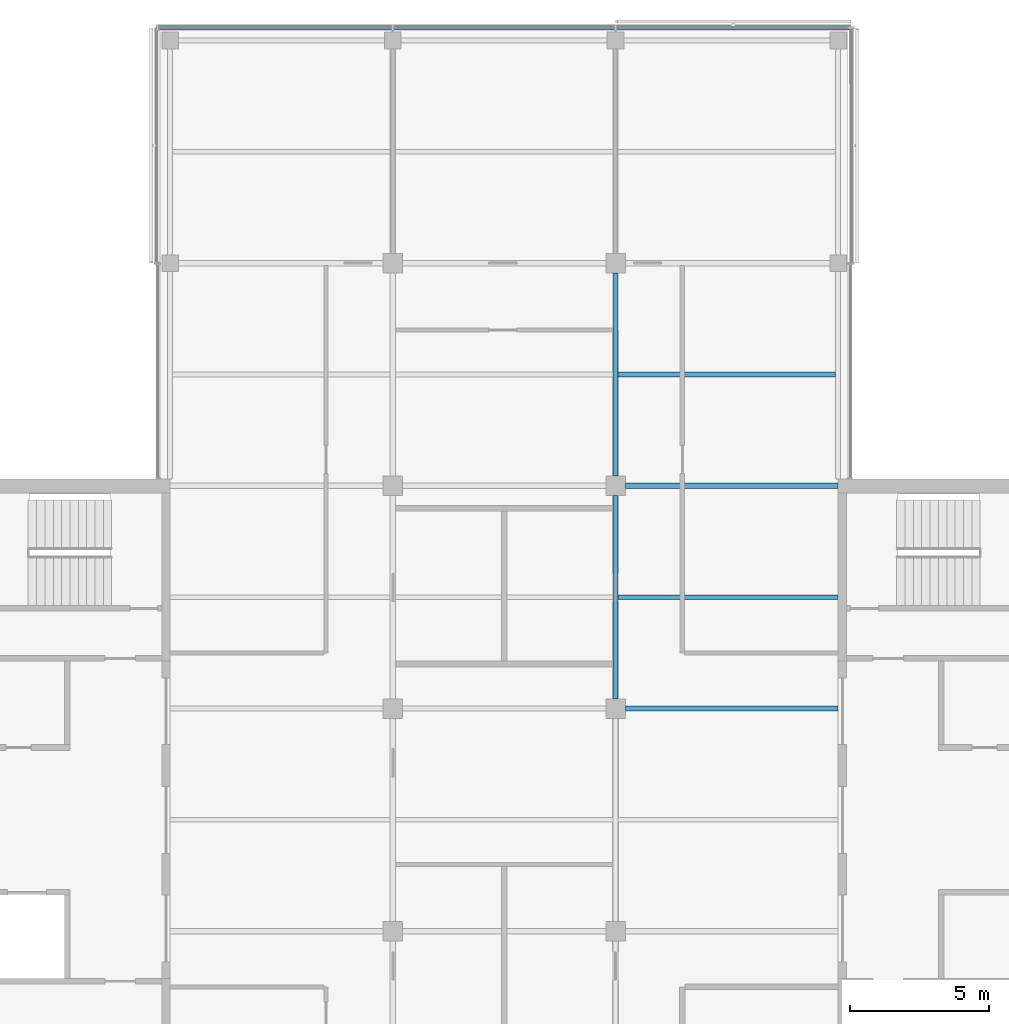
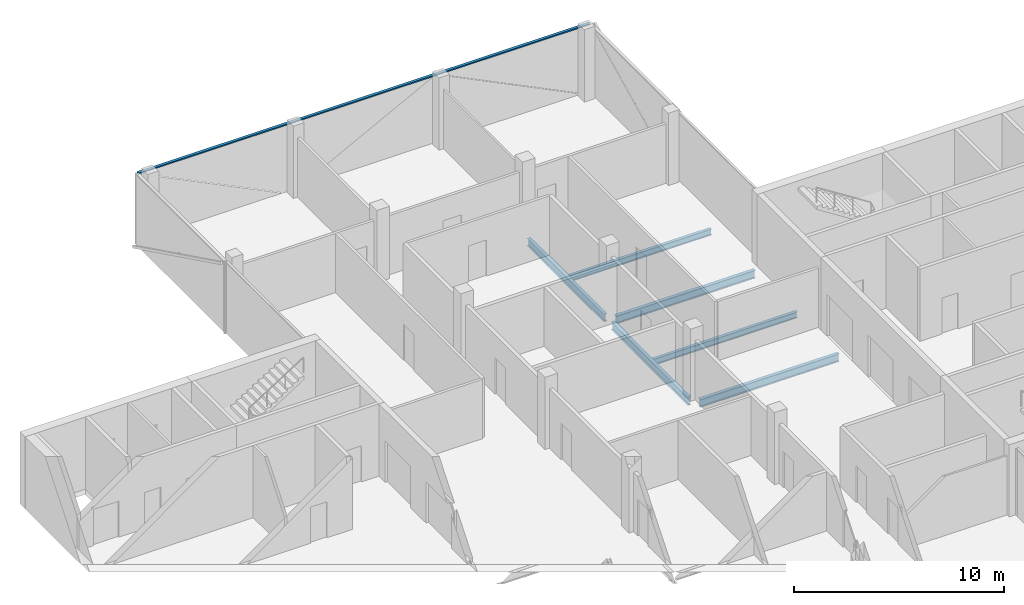
# One storey, part 6 of 16: 6 beams, 1 member, 1 element without a shape of its own.
"""IFC4 building model written with IfcOpenShell, lengths in metres."""

from ifc_helpers import new_model, si_unit, direction, frame, origin, origin_2d, place, context, subcontext, project, spatial, rectangle, i_section, extrude, material, material_profile, profile_set, type_object, element, aggregate, save


model = new_model("IFC4")

# Units and contexts
model_context = context("Model", 3, precision=1e-05, world=origin(), true_north=direction((0.0, 1.0)))
body_context = subcontext(model_context, "Body", "Model", "MODEL_VIEW")
ifc_project = project(units=[si_unit("LENGTHUNIT", "METRE"), si_unit("AREAUNIT", "SQUARE_METRE"), si_unit("VOLUMEUNIT", "CUBIC_METRE"), si_unit("PLANEANGLEUNIT", "RADIAN"), si_unit("MASSUNIT", "GRAM", prefix="KILO")], contexts=[model_context])

# Site, building, storey
site_placement = place(None, origin())
site = spatial("IfcSite", under=ifc_project, at=site_placement, CompositionType="ELEMENT")
building_placement = place(site_placement, origin())
building = spatial("IfcBuilding", under=site, at=building_placement, Name="Crosswind Convention Tower", CompositionType="ELEMENT")
storey_placement = place(building_placement, frame((0.0, 0.0, 287.10009765625)))
storey = spatial("IfcBuildingStorey", under=building, at=storey_placement, Name="L62", CompositionType="ELEMENT", Elevation=287.10009765625)

# Beams
ifc_material_1 = material(Name="Steel S355", Category="steel")
ifc_material_profile_1 = material_profile(ifc_material_1, i_section(OverallWidth=0.18994140625, OverallDepth=0.45361328125, WebThickness=0.008544921875, FlangeThickness=0.0126953125, FilletRadius=0.01025390625, at=origin_2d()), Name="UB 457x191x67")
ifc_profile_set_1 = profile_set([ifc_material_profile_1], Name="Steel S355")
beam_type_1 = type_object("IfcBeamType", Name="Girder UB 457x191x67", PredefinedType="BEAM", material=ifc_profile_set_1)
for number, where, z_axis, x_axis, name in (
    (1, (129.0, 104.35009765625, -0.52685546875), (0.0, 1.0, 0.0), (-1.0, 0.0, 0.0), "B1 L62 girder 20"),
    (2, (129.0, 112.35009765625, -0.52685546875), (0.0, 1.0, 0.0), (-1.0, 0.0, 0.0), "B1 L62 girder 21"),
):
    element("IfcBeam", number, at=place(storey_placement, frame(where, z_axis=z_axis, x_axis=x_axis)), inside=storey, type_object=beam_type_1, Name=name, PredefinedType="BEAM", context=body_context, shape_type="SweptSolid", body=[
        extrude(i_section(OverallWidth=0.18994140625, OverallDepth=0.45361328125, WebThickness=0.008544921875, FlangeThickness=0.0126953125, FilletRadius=0.01025390625, at=origin_2d()), origin(), (0.0, 0.0, 1.0), 7.2998046875),
    ])
ifc_material_profile_2 = material_profile(ifc_material_1, i_section(OverallWidth=0.1904296875, OverallDepth=0.457275390625, WebThickness=0.009033203125, FlangeThickness=0.014404296875, FilletRadius=0.01025390625, at=origin_2d()), Name="UB 457x191x75")
ifc_profile_set_2 = profile_set([ifc_material_profile_2], Name="Steel S355")
beam_type_2 = type_object("IfcBeamType", Name="Girder at core wall UB 457x191x75", PredefinedType="BEAM", material=ifc_profile_set_2)
for number, where, z_axis, x_axis, name in (
    (3, (129.35009765625, 104.0, -0.52880859375), (1.0, 0.0, 0.0), (0.0, 1.0, 0.0), "B22 L62 girder at core wall 7"),
    (4, (129.35009765625, 112.0, -0.52880859375), (1.0, 0.0, 0.0), (0.0, 1.0, 0.0), "B22 L62 girder at core wall 8"),
):
    element("IfcBeam", number, at=place(storey_placement, frame(where, z_axis=z_axis, x_axis=x_axis)), inside=storey, type_object=beam_type_2, Name=name, PredefinedType="BEAM", context=body_context, shape_type="SweptSolid", body=[
        extrude(i_section(OverallWidth=0.1904296875, OverallDepth=0.457275390625, WebThickness=0.009033203125, FlangeThickness=0.014404296875, FilletRadius=0.01025390625, at=origin_2d()), origin(), (0.0, 0.0, 1.0), 7.64990234375),
    ])
ifc_material_profile_3 = material_profile(ifc_material_1, i_section(OverallWidth=0.17138671875, OverallDepth=0.355712890625, WebThickness=0.00732421875, FlangeThickness=0.011474609375, FilletRadius=0.01025390625, at=origin_2d()), Name="UB 356x171x51")
ifc_profile_set_3 = profile_set([ifc_material_profile_3], Name="Steel S355")
beam_type_3 = type_object("IfcBeamType", Name="Secondary beam UB 356x171x51", PredefinedType="JOIST", material=ifc_profile_set_3)
beam_1_placement = place(storey_placement, frame((129.094970703125, 108.0, -0.477783203125), z_axis=(1.0, 0.0, 0.0), x_axis=(0.0, 1.0, 0.0)))
element("IfcBeam", 5, at=beam_1_placement, inside=storey, type_object=beam_type_3, Name="B8 L62 secondary beam 19", PredefinedType="JOIST", context=body_context, shape_type="SweptSolid", body=[
    extrude(i_section(OverallWidth=0.17138671875, OverallDepth=0.355712890625, WebThickness=0.00732421875, FlangeThickness=0.011474609375, FilletRadius=0.01025390625, at=origin_2d()), origin(), (0.0, 0.0, 1.0), 7.905029296875),
])
beam_2_placement = place(storey_placement, frame((129.094970703125, 116.0, -0.477783203125), z_axis=(1.0, 0.0, 0.0), x_axis=(0.0, 1.0, 0.0)))
element("IfcBeam", 6, at=beam_2_placement, inside=storey, type_object=beam_type_3, Name="B8 L62 secondary beam 20", PredefinedType="JOIST", context=body_context, shape_type="SweptSolid", body=[
    extrude(i_section(OverallWidth=0.17138671875, OverallDepth=0.355712890625, WebThickness=0.00732421875, FlangeThickness=0.011474609375, FilletRadius=0.01025390625, at=origin_2d()), origin(), (0.0, 0.0, 1.0), 7.816162109375),
])

# Curtain wall, member
ifc_material_2 = material(Name="Aluminium unitised curtain wall", Category="aluminium")
curtain_wall_type = type_object("IfcCurtainWallType", Name="OFFICE UNITISED WALL 220", PredefinedType="USERDEFINED", material=ifc_material_2)
curtain_wall_placement = place(storey_placement, origin())
curtain_wall = element("IfcCurtainWall", 7, at=curtain_wall_placement, inside=storey, type_object=curtain_wall_type, Name="CW3 L62 N-TIP 1", ObjectType="UNITISED", PredefinedType="USERDEFINED")
ifc_material_3 = material(Name="Aluminium transom", Category="aluminium")
ifc_material_profile_4 = material_profile(ifc_material_3, rectangle(XDim=0.159912109375, YDim=0.070068359375, at=origin_2d()), Name="AL 160X70")
ifc_profile_set_4 = profile_set([ifc_material_profile_4], Name="Aluminium transom")
member_type = type_object("IfcMemberType", Name="TRANSOM 70X160", PredefinedType="USERDEFINED", material=ifc_profile_set_4)
member_placement = place(storey_placement, frame((137.425048828125, 128.4599609375, 3.864990234375), z_axis=(-1.0, 0.0, 0.0), x_axis=(0.0, -1.0, 0.0)))
member = element("IfcMember", 8, at=member_placement, type_object=member_type, Name="CW3 transom", ObjectType="TRANSOM", PredefinedType="USERDEFINED", context=body_context, shape_type="SweptSolid", body=[
    extrude(rectangle(XDim=0.159912109375, YDim=0.070068359375, at=origin_2d()), origin(), (0.0, 0.0, 1.0), 24.85009765625),
])
aggregate(curtain_wall, [member])

save(model, "model.ifc")
